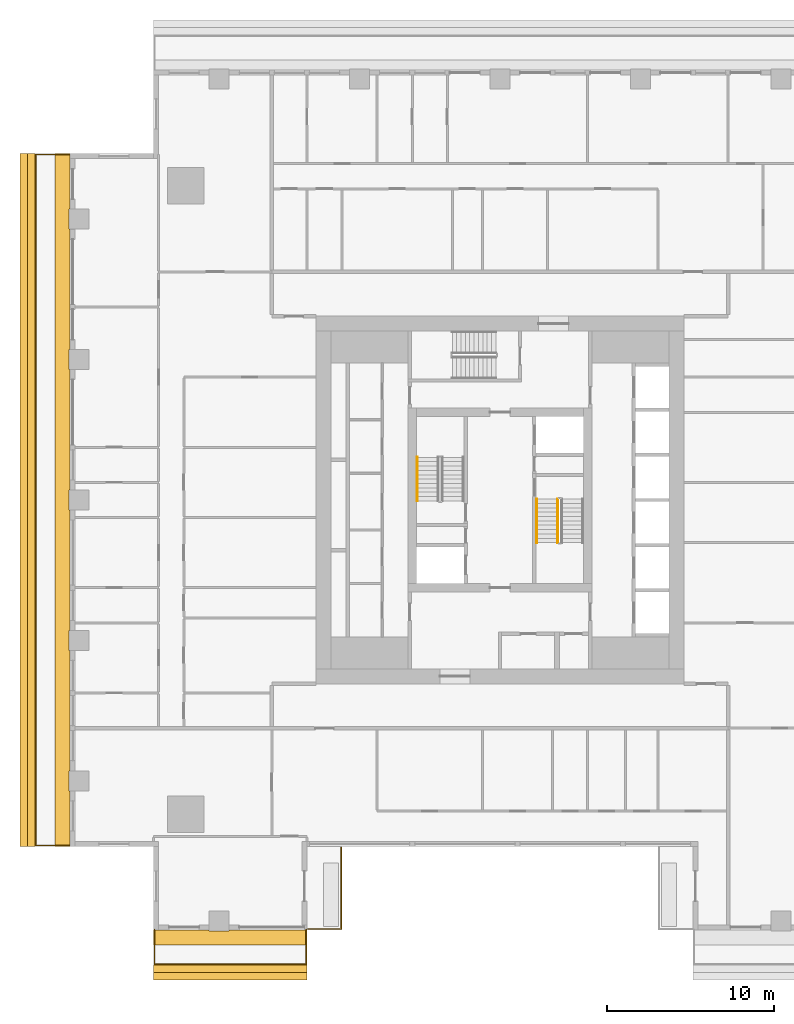
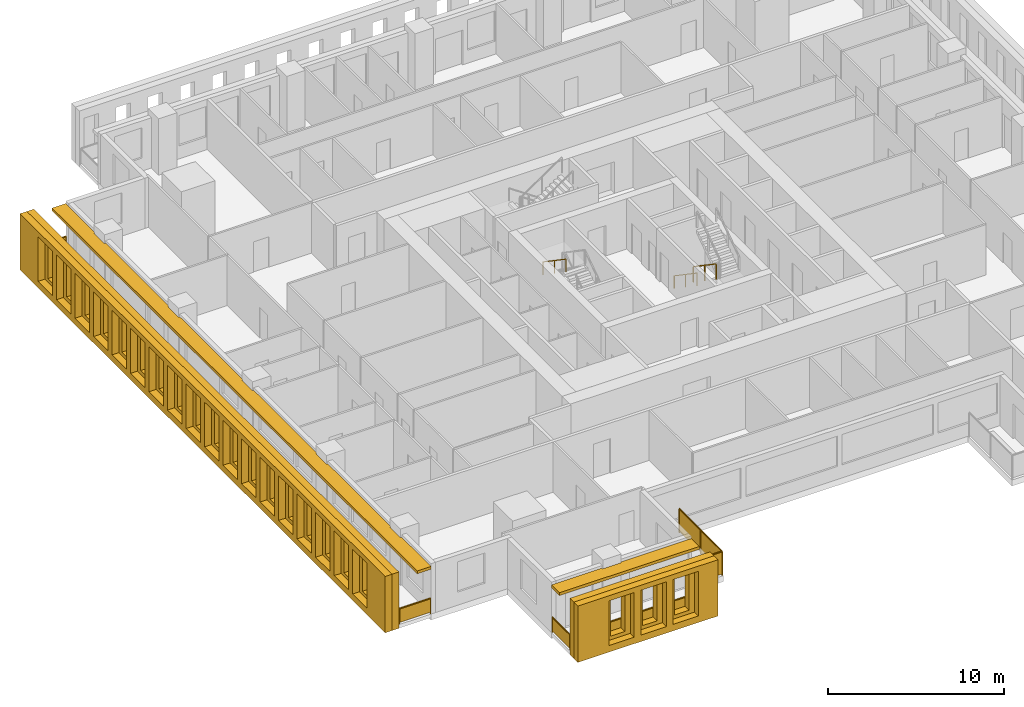
# One storey, part 10 of 14: 6 railings, 6 shading devices.
"""IFC4 building model written with IfcOpenShell, lengths in metres."""

from ifc_helpers import new_model, si_unit, direction, frame, origin, origin_2d, place, context, subcontext, project, spatial, polyline, rectangle, outline, extrude, material, layer, layer_set, type_object, element, save


model = new_model("IFC4")

# Units and contexts
model_context = context("Model", 3, precision=1e-05, world=origin(), true_north=direction((0.0, 1.0)))
body_context = subcontext(model_context, "Body", "Model", "MODEL_VIEW")
ifc_project = project(units=[si_unit("LENGTHUNIT", "METRE"), si_unit("AREAUNIT", "SQUARE_METRE"), si_unit("VOLUMEUNIT", "CUBIC_METRE"), si_unit("PLANEANGLEUNIT", "RADIAN"), si_unit("MASSUNIT", "GRAM", prefix="KILO")], contexts=[model_context])

# Site, building, storey
site_placement = place(None, origin())
site = spatial("IfcSite", under=ifc_project, at=site_placement, CompositionType="ELEMENT")
building_placement = place(site_placement, origin())
building = spatial("IfcBuilding", under=site, at=building_placement, Name="Khepri Terraces", CompositionType="ELEMENT")
storey_placement = place(building_placement, frame((0.0, 0.0, 271.800048828125)))
storey = spatial("IfcBuildingStorey", under=building, at=storey_placement, Name="L65", CompositionType="ELEMENT", Elevation=271.800048828125)

# Railings
ifc_material_1 = material(Name="Stainless steel grade 316", Category="steel")
railing_type_1 = type_object("IfcRailingType", Name="GRD-BAL-1100", PredefinedType="GUARDRAIL", material=ifc_material_1)
railing_1_placement = place(storey_placement, frame((-20.669921875, -25.719970703125, 0.0)))
element("IfcRailing", 1, at=railing_1_placement, inside=storey, type_object=railing_type_1, Name="Balcony guard L65 S", PredefinedType="GUARDRAIL", context=body_context, shape_type="SweptSolid", body=[
    extrude(rectangle(XDim=0.050048828125, YDim=0.06005859375, at=origin_2d()), frame((0.0, 0.0, 1.070068359375), z_axis=(0.0, -1.0, 0.0), x_axis=(1.0, 0.0, 0.0)), (0.0, 0.0, 1.0), 2.050048828125),
    extrude(rectangle(XDim=2.0, YDim=0.011962890625, at=origin_2d()), frame((0.0, -1.02490234375, 0.10009765625), z_axis=(0.0, 0.0, 1.0), x_axis=(0.0, -1.0, 0.0)), (0.0, 0.0, 1.0), 0.93994140625),
    extrude(rectangle(XDim=0.050048828125, YDim=0.06005859375, at=origin_2d()), frame((0.0, -2.050048828125, 1.070068359375), z_axis=(1.0, 0.0, 0.0), x_axis=(0.0, 1.0, 0.0)), (0.0, 0.0, 1.0), 9.06982421875),
    extrude(rectangle(XDim=2.21728515625, YDim=0.011962890625, at=origin_2d()), frame((1.1337890625, -2.050048828125, 0.10009765625), z_axis=(0.0, 0.0, 1.0), x_axis=(1.0, 0.0, 0.0)), (0.0, 0.0, 1.0), 0.93994140625),
    extrude(rectangle(XDim=2.21728515625, YDim=0.011962890625, at=origin_2d()), frame((3.401123046875, -2.050048828125, 0.10009765625), z_axis=(0.0, 0.0, 1.0), x_axis=(1.0, 0.0, 0.0)), (0.0, 0.0, 1.0), 0.93994140625),
    extrude(rectangle(XDim=2.21728515625, YDim=0.011962890625, at=origin_2d()), frame((5.668701171875, -2.050048828125, 0.10009765625), z_axis=(0.0, 0.0, 1.0), x_axis=(1.0, 0.0, 0.0)), (0.0, 0.0, 1.0), 0.93994140625),
    extrude(rectangle(XDim=2.21728515625, YDim=0.011962890625, at=origin_2d()), frame((7.93603515625, -2.050048828125, 0.10009765625), z_axis=(0.0, 0.0, 1.0), x_axis=(1.0, 0.0, 0.0)), (0.0, 0.0, 1.0), 0.93994140625),
    extrude(rectangle(XDim=0.050048828125, YDim=0.06005859375, at=origin_2d()), frame((9.06982421875, -2.050048828125, 1.070068359375), z_axis=(0.0, 1.0, 0.0), x_axis=(-1.0, 0.0, 0.0)), (0.0, 0.0, 1.0), 2.050048828125),
    extrude(rectangle(XDim=2.0, YDim=0.011962890625, at=origin_2d()), frame((9.06982421875, -1.02490234375, 0.10009765625), z_axis=(0.0, 0.0, 1.0), x_axis=(0.0, 1.0, 0.0)), (0.0, 0.0, 1.0), 0.93994140625),
    extrude(rectangle(XDim=0.050048828125, YDim=0.050048828125, at=origin_2d()), origin(), (0.0, 0.0, 1.0), 1.0400390625),
    extrude(rectangle(XDim=0.050048828125, YDim=0.050048828125, at=origin_2d()), frame((0.0, -2.050048828125, 0.0)), (0.0, 0.0, 1.0), 1.0400390625),
    extrude(rectangle(XDim=0.050048828125, YDim=0.050048828125, at=origin_2d()), frame((2.267578125, -2.050048828125, 0.0)), (0.0, 0.0, 1.0), 1.0400390625),
    extrude(rectangle(XDim=0.050048828125, YDim=0.050048828125, at=origin_2d()), frame((4.534912109375, -2.050048828125, 0.0)), (0.0, 0.0, 1.0), 1.0400390625),
    extrude(rectangle(XDim=0.050048828125, YDim=0.050048828125, at=origin_2d()), frame((6.80224609375, -2.050048828125, 0.0)), (0.0, 0.0, 1.0), 1.0400390625),
    extrude(rectangle(XDim=0.050048828125, YDim=0.050048828125, at=origin_2d()), frame((9.06982421875, -2.050048828125, 0.0)), (0.0, 0.0, 1.0), 1.0400390625),
    extrude(rectangle(XDim=0.050048828125, YDim=0.050048828125, at=origin_2d()), frame((9.06982421875, 0.0, 0.0)), (0.0, 0.0, 1.0), 1.0400390625),
])
railing_2_placement = place(storey_placement, frame((-25.719970703125, 20.669921875, 0.0)))
element("IfcRailing", 2, at=railing_2_placement, inside=storey, type_object=railing_type_1, Name="Balcony guard L65 W", PredefinedType="GUARDRAIL", context=body_context, shape_type="SweptSolid", body=[
    extrude(rectangle(XDim=0.050048828125, YDim=0.06005859375, at=origin_2d()), frame((0.0, 0.0, 1.070068359375), z_axis=(-1.0, 0.0, 0.0), x_axis=(0.0, -1.0, 0.0)), (0.0, 0.0, 1.0), 2.050048828125),
    extrude(rectangle(XDim=2.0, YDim=0.011962890625, at=origin_2d()), frame((-1.02490234375, 0.0, 0.10009765625), z_axis=(0.0, 0.0, 1.0), x_axis=(-1.0, 0.0, 0.0)), (0.0, 0.0, 1.0), 0.93994140625),
    extrude(rectangle(XDim=0.050048828125, YDim=0.06005859375, at=origin_2d()), frame((-2.050048828125, 0.0, 1.070068359375), z_axis=(0.0, -1.0, 0.0), x_axis=(1.0, 0.0, 0.0)), (0.0, 0.0, 1.0), 41.33984375),
    extrude(rectangle(XDim=2.24658203125, YDim=0.011962890625, at=origin_2d()), frame((-2.050048828125, -1.1484375, 0.10009765625), z_axis=(0.0, 0.0, 1.0), x_axis=(0.0, -1.0, 0.0)), (0.0, 0.0, 1.0), 0.93994140625),
    extrude(rectangle(XDim=2.24658203125, YDim=0.011962890625, at=origin_2d()), frame((-2.050048828125, -3.445068359375, 0.10009765625), z_axis=(0.0, 0.0, 1.0), x_axis=(0.0, -1.0, 0.0)), (0.0, 0.0, 1.0), 0.93994140625),
    extrude(rectangle(XDim=2.24658203125, YDim=0.011962890625, at=origin_2d()), frame((-2.050048828125, -5.74169921875, 0.10009765625), z_axis=(0.0, 0.0, 1.0), x_axis=(0.0, -1.0, 0.0)), (0.0, 0.0, 1.0), 0.93994140625),
    extrude(rectangle(XDim=2.24658203125, YDim=0.011962890625, at=origin_2d()), frame((-2.050048828125, -8.038330078125, 0.10009765625), z_axis=(0.0, 0.0, 1.0), x_axis=(0.0, -1.0, 0.0)), (0.0, 0.0, 1.0), 0.93994140625),
    extrude(rectangle(XDim=2.24658203125, YDim=0.011962890625, at=origin_2d()), frame((-2.050048828125, -10.3349609375, 0.10009765625), z_axis=(0.0, 0.0, 1.0), x_axis=(0.0, -1.0, 0.0)), (0.0, 0.0, 1.0), 0.93994140625),
    extrude(rectangle(XDim=2.24658203125, YDim=0.011962890625, at=origin_2d()), frame((-2.050048828125, -12.631591796875, 0.10009765625), z_axis=(0.0, 0.0, 1.0), x_axis=(0.0, -1.0, 0.0)), (0.0, 0.0, 1.0), 0.93994140625),
    extrude(rectangle(XDim=2.24658203125, YDim=0.011962890625, at=origin_2d()), frame((-2.050048828125, -14.92822265625, 0.10009765625), z_axis=(0.0, 0.0, 1.0), x_axis=(0.0, -1.0, 0.0)), (0.0, 0.0, 1.0), 0.93994140625),
    extrude(rectangle(XDim=2.24658203125, YDim=0.011962890625, at=origin_2d()), frame((-2.050048828125, -17.224853515625, 0.10009765625), z_axis=(0.0, 0.0, 1.0), x_axis=(0.0, -1.0, 0.0)), (0.0, 0.0, 1.0), 0.93994140625),
    extrude(rectangle(XDim=2.24658203125, YDim=0.011962890625, at=origin_2d()), frame((-2.050048828125, -19.521484375, 0.10009765625), z_axis=(0.0, 0.0, 1.0), x_axis=(0.0, -1.0, 0.0)), (0.0, 0.0, 1.0), 0.93994140625),
    extrude(rectangle(XDim=2.24658203125, YDim=0.011962890625, at=origin_2d()), frame((-2.050048828125, -21.818359375, 0.10009765625), z_axis=(0.0, 0.0, 1.0), x_axis=(0.0, -1.0, 0.0)), (0.0, 0.0, 1.0), 0.93994140625),
    extrude(rectangle(XDim=2.24658203125, YDim=0.011962890625, at=origin_2d()), frame((-2.050048828125, -24.114990234375, 0.10009765625), z_axis=(0.0, 0.0, 1.0), x_axis=(0.0, -1.0, 0.0)), (0.0, 0.0, 1.0), 0.93994140625),
    extrude(rectangle(XDim=2.24658203125, YDim=0.011962890625, at=origin_2d()), frame((-2.050048828125, -26.41162109375, 0.10009765625), z_axis=(0.0, 0.0, 1.0), x_axis=(0.0, -1.0, 0.0)), (0.0, 0.0, 1.0), 0.93994140625),
    extrude(rectangle(XDim=2.24658203125, YDim=0.011962890625, at=origin_2d()), frame((-2.050048828125, -28.708251953125, 0.10009765625), z_axis=(0.0, 0.0, 1.0), x_axis=(0.0, -1.0, 0.0)), (0.0, 0.0, 1.0), 0.93994140625),
    extrude(rectangle(XDim=2.24658203125, YDim=0.011962890625, at=origin_2d()), frame((-2.050048828125, -31.0048828125, 0.10009765625), z_axis=(0.0, 0.0, 1.0), x_axis=(0.0, -1.0, 0.0)), (0.0, 0.0, 1.0), 0.93994140625),
    extrude(rectangle(XDim=2.24658203125, YDim=0.011962890625, at=origin_2d()), frame((-2.050048828125, -33.301513671875, 0.10009765625), z_axis=(0.0, 0.0, 1.0), x_axis=(0.0, -1.0, 0.0)), (0.0, 0.0, 1.0), 0.93994140625),
    extrude(rectangle(XDim=2.24658203125, YDim=0.011962890625, at=origin_2d()), frame((-2.050048828125, -35.59814453125, 0.10009765625), z_axis=(0.0, 0.0, 1.0), x_axis=(0.0, -1.0, 0.0)), (0.0, 0.0, 1.0), 0.93994140625),
    extrude(rectangle(XDim=2.24658203125, YDim=0.011962890625, at=origin_2d()), frame((-2.050048828125, -37.894775390625, 0.10009765625), z_axis=(0.0, 0.0, 1.0), x_axis=(0.0, -1.0, 0.0)), (0.0, 0.0, 1.0), 0.93994140625),
    extrude(rectangle(XDim=2.24658203125, YDim=0.011962890625, at=origin_2d()), frame((-2.050048828125, -40.19140625, 0.10009765625), z_axis=(0.0, 0.0, 1.0), x_axis=(0.0, -1.0, 0.0)), (0.0, 0.0, 1.0), 0.93994140625),
    extrude(rectangle(XDim=0.050048828125, YDim=0.06005859375, at=origin_2d()), frame((-2.050048828125, -41.33984375, 1.070068359375), z_axis=(1.0, 0.0, 0.0), x_axis=(0.0, 1.0, 0.0)), (0.0, 0.0, 1.0), 2.050048828125),
    extrude(rectangle(XDim=2.0, YDim=0.011962890625, at=origin_2d()), frame((-1.02490234375, -41.33984375, 0.10009765625), z_axis=(0.0, 0.0, 1.0), x_axis=(1.0, 0.0, 0.0)), (0.0, 0.0, 1.0), 0.93994140625),
    extrude(rectangle(XDim=0.050048828125, YDim=0.050048828125, at=origin_2d()), origin(), (0.0, 0.0, 1.0), 1.0400390625),
    extrude(rectangle(XDim=0.050048828125, YDim=0.050048828125, at=origin_2d()), frame((-2.050048828125, 0.0, 0.0)), (0.0, 0.0, 1.0), 1.0400390625),
    extrude(rectangle(XDim=0.050048828125, YDim=0.050048828125, at=origin_2d()), frame((-2.050048828125, -2.296630859375, 0.0)), (0.0, 0.0, 1.0), 1.0400390625),
    extrude(rectangle(XDim=0.050048828125, YDim=0.050048828125, at=origin_2d()), frame((-2.050048828125, -4.59326171875, 0.0)), (0.0, 0.0, 1.0), 1.0400390625),
    extrude(rectangle(XDim=0.050048828125, YDim=0.050048828125, at=origin_2d()), frame((-2.050048828125, -6.889892578125, 0.0)), (0.0, 0.0, 1.0), 1.0400390625),
    extrude(rectangle(XDim=0.050048828125, YDim=0.050048828125, at=origin_2d()), frame((-2.050048828125, -9.1865234375, 0.0)), (0.0, 0.0, 1.0), 1.0400390625),
    extrude(rectangle(XDim=0.050048828125, YDim=0.050048828125, at=origin_2d()), frame((-2.050048828125, -11.4833984375, 0.0)), (0.0, 0.0, 1.0), 1.0400390625),
    extrude(rectangle(XDim=0.050048828125, YDim=0.050048828125, at=origin_2d()), frame((-2.050048828125, -13.780029296875, 0.0)), (0.0, 0.0, 1.0), 1.0400390625),
    extrude(rectangle(XDim=0.050048828125, YDim=0.050048828125, at=origin_2d()), frame((-2.050048828125, -16.07666015625, 0.0)), (0.0, 0.0, 1.0), 1.0400390625),
    extrude(rectangle(XDim=0.050048828125, YDim=0.050048828125, at=origin_2d()), frame((-2.050048828125, -18.373291015625, 0.0)), (0.0, 0.0, 1.0), 1.0400390625),
    extrude(rectangle(XDim=0.050048828125, YDim=0.050048828125, at=origin_2d()), frame((-2.050048828125, -20.669921875, 0.0)), (0.0, 0.0, 1.0), 1.0400390625),
    extrude(rectangle(XDim=0.050048828125, YDim=0.050048828125, at=origin_2d()), frame((-2.050048828125, -22.966552734375, 0.0)), (0.0, 0.0, 1.0), 1.0400390625),
    extrude(rectangle(XDim=0.050048828125, YDim=0.050048828125, at=origin_2d()), frame((-2.050048828125, -25.26318359375, 0.0)), (0.0, 0.0, 1.0), 1.0400390625),
    extrude(rectangle(XDim=0.050048828125, YDim=0.050048828125, at=origin_2d()), frame((-2.050048828125, -27.559814453125, 0.0)), (0.0, 0.0, 1.0), 1.0400390625),
    extrude(rectangle(XDim=0.050048828125, YDim=0.050048828125, at=origin_2d()), frame((-2.050048828125, -29.8564453125, 0.0)), (0.0, 0.0, 1.0), 1.0400390625),
    extrude(rectangle(XDim=0.050048828125, YDim=0.050048828125, at=origin_2d()), frame((-2.050048828125, -32.1533203125, 0.0)), (0.0, 0.0, 1.0), 1.0400390625),
    extrude(rectangle(XDim=0.050048828125, YDim=0.050048828125, at=origin_2d()), frame((-2.050048828125, -34.449951171875, 0.0)), (0.0, 0.0, 1.0), 1.0400390625),
    extrude(rectangle(XDim=0.050048828125, YDim=0.050048828125, at=origin_2d()), frame((-2.050048828125, -36.74658203125, 0.0)), (0.0, 0.0, 1.0), 1.0400390625),
    extrude(rectangle(XDim=0.050048828125, YDim=0.050048828125, at=origin_2d()), frame((-2.050048828125, -39.043212890625, 0.0)), (0.0, 0.0, 1.0), 1.0400390625),
    extrude(rectangle(XDim=0.050048828125, YDim=0.050048828125, at=origin_2d()), frame((-2.050048828125, -41.33984375, 0.0)), (0.0, 0.0, 1.0), 1.0400390625),
    extrude(rectangle(XDim=0.050048828125, YDim=0.050048828125, at=origin_2d()), frame((0.0, -41.33984375, 0.0)), (0.0, 0.0, 1.0), 1.0400390625),
])
railing_type_2 = type_object("IfcRailingType", Name="GRD-TERR-1700", PredefinedType="GUARDRAIL", material=ifc_material_1)
railing_3_placement = place(storey_placement, frame((-9.5, -20.7900390625, 0.0)))
element("IfcRailing", 3, at=railing_3_placement, inside=storey, type_object=railing_type_2, Name="Terrace guard L65", PredefinedType="GUARDRAIL", context=body_context, shape_type="SweptSolid", body=[
    extrude(rectangle(XDim=0.050048828125, YDim=0.06005859375, at=origin_2d()), frame((0.0, 0.0, 1.669921875), z_axis=(0.0, -1.0, 0.0), x_axis=(1.0, 0.0, 0.0)), (0.0, 0.0, 1.0), 4.8798828125),
    extrude(rectangle(XDim=2.389892578125, YDim=0.011962890625, at=origin_2d()), frame((0.0, -1.219970703125, 0.10009765625), z_axis=(0.0, 0.0, 1.0), x_axis=(0.0, -1.0, 0.0)), (0.0, 0.0, 1.0), 1.539794921875),
    extrude(rectangle(XDim=2.389892578125, YDim=0.011962890625, at=origin_2d()), frame((0.0, -3.659912109375, 0.10009765625), z_axis=(0.0, 0.0, 1.0), x_axis=(0.0, -1.0, 0.0)), (0.0, 0.0, 1.0), 1.539794921875),
    extrude(rectangle(XDim=0.050048828125, YDim=0.06005859375, at=origin_2d()), frame((0.0, -4.8798828125, 1.669921875), z_axis=(-1.0, 0.0, 0.0), x_axis=(0.0, -1.0, 0.0)), (0.0, 0.0, 1.0), 1.97998046875),
    extrude(rectangle(XDim=1.929931640625, YDim=0.011962890625, at=origin_2d()), frame((-0.989990234375, -4.8798828125, 0.10009765625), z_axis=(0.0, 0.0, 1.0), x_axis=(-1.0, 0.0, 0.0)), (0.0, 0.0, 1.0), 1.539794921875),
    extrude(rectangle(XDim=0.050048828125, YDim=0.050048828125, at=origin_2d()), origin(), (0.0, 0.0, 1.0), 1.639892578125),
    extrude(rectangle(XDim=0.050048828125, YDim=0.050048828125, at=origin_2d()), frame((0.0, -2.43994140625, 0.0)), (0.0, 0.0, 1.0), 1.639892578125),
    extrude(rectangle(XDim=0.050048828125, YDim=0.050048828125, at=origin_2d()), frame((0.0, -4.8798828125, 0.0)), (0.0, 0.0, 1.0), 1.639892578125),
    extrude(rectangle(XDim=0.050048828125, YDim=0.050048828125, at=origin_2d()), frame((-1.97998046875, -4.8798828125, 0.0)), (0.0, 0.0, 1.0), 1.639892578125),
])
ifc_material_2 = material(Name="Stainless steel 316", Category="steel")
railing_type_3 = type_object("IfcRailingType", Name="RL-CORE-GUARD", PredefinedType="GUARDRAIL", material=ifc_material_2)
railing_4_placement = place(storey_placement, frame((3.449951171875, 0.050048828125, 0.17724609375)))
element("IfcRailing", 4, at=railing_4_placement, inside=storey, type_object=railing_type_3, Name="L65 ST-2 stair guard 1", PredefinedType="GUARDRAIL", context=body_context, shape_type="SweptSolid", body=[
    extrude(rectangle(XDim=0.050048828125, YDim=0.06005859375, at=origin_2d()), frame((0.0, 0.0, 1.070068359375), z_axis=(0.0, -0.826240473404, 0.563317565952), x_axis=(1.0, 0.0, 0.0)), (0.0, 0.0, 1.0), 3.14697265625),
    extrude(rectangle(XDim=0.050048828125, YDim=0.050048828125, at=origin_2d()), origin(), (0.0, 0.0, 1.0), 1.0400390625),
    extrude(rectangle(XDim=0.050048828125, YDim=0.050048828125, at=origin_2d()), frame((0.0, -1.300048828125, 0.88623046875)), (0.0, 0.0, 1.0), 1.0400390625),
    extrude(rectangle(XDim=0.050048828125, YDim=0.050048828125, at=origin_2d()), frame((0.0, -2.60009765625, 1.772705078125)), (0.0, 0.0, 1.0), 1.0400390625),
])
railing_type_4 = type_object("IfcRailingType", Name="RL-CORE-HANDRAIL", PredefinedType="HANDRAIL", material=ifc_material_2)
for number, where, name in (
    (5, (-4.949951171875, 2.550048828125, 2.127197265625), "L65 ST-1 stair handrail 2"),
    (6, (2.199951171875, 0.050048828125, 0.17724609375), "L65 ST-2 stair handrail 1"),
):
    element("IfcRailing", number, at=place(storey_placement, frame(where)), inside=storey, type_object=railing_type_4, Name=name, PredefinedType="HANDRAIL", context=body_context, shape_type="SweptSolid", body=[
        extrude(rectangle(XDim=0.050048828125, YDim=0.050048828125, at=origin_2d()), frame((0.0, 0.0, 0.875), z_axis=(0.0, -0.826240473404, 0.563317565952), x_axis=(1.0, 0.0, 0.0)), (0.0, 0.0, 1.0), 3.14697265625),
        extrude(rectangle(XDim=0.050048828125, YDim=0.050048828125, at=origin_2d()), origin(), (0.0, 0.0, 1.0), 0.849853515625),
        extrude(rectangle(XDim=0.050048828125, YDim=0.050048828125, at=origin_2d()), frame((0.0, -1.300048828125, 0.88623046875)), (0.0, 0.0, 1.0), 0.849853515625),
        extrude(rectangle(XDim=0.050048828125, YDim=0.050048828125, at=origin_2d()), frame((0.0, -2.60009765625, 1.772705078125)), (0.0, 0.0, 1.0), 0.849853515625),
    ])

# Shading devices
ifc_material_3 = material(Name="Precast concrete C50/60 warm stone", Category="masonry")
shading_device_type_1 = type_object("IfcShadingDeviceType", Name="SCR-CELL-INNER-450", PredefinedType="USERDEFINED", material=ifc_material_3)
shading_device_1_placement = place(storey_placement, frame((-20.719970703125, -27.820068359375, -0.25), z_axis=(0.0, -1.0, 0.0), x_axis=(1.0, 0.0, 0.0)))
element("IfcShadingDevice", 7, at=shading_device_1_placement, inside=storey, type_object=shading_device_type_1, Name="Cell screen L65 S in", ObjectType="SCREEN", PredefinedType="USERDEFINED", context=body_context, shape_type="SweptSolid", body=[
    extrude(outline(polyline([(0.0, 0.0), (9.169921875, 0.0), (9.169921875, 3.89990234375), (0.0, 3.89990234375), (0.0, 0.0)]), holes=[polyline([(0.297607421875, 0.699951171875), (1.242431640625, 0.699951171875), (1.242431640625, 3.300048828125), (0.297607421875, 3.300048828125), (0.297607421875, 0.699951171875)]), polyline([(2.3974609375, 0.699951171875), (3.342529296875, 0.699951171875), (3.342529296875, 3.300048828125), (2.3974609375, 3.300048828125), (2.3974609375, 0.699951171875)]), polyline([(4.49755859375, 0.699951171875), (5.4423828125, 0.699951171875), (5.4423828125, 3.300048828125), (4.49755859375, 3.300048828125), (4.49755859375, 0.699951171875)]), polyline([(6.597412109375, 0.699951171875), (7.54248046875, 0.699951171875), (7.54248046875, 3.300048828125), (6.597412109375, 3.300048828125), (6.597412109375, 0.699951171875)])]), origin(), (0.0, 0.0, 1.0), 0.449951171875),
])
shading_device_2_placement = place(storey_placement, frame((-27.820068359375, 20.719970703125, -0.25), z_axis=(-1.0, 0.0, 0.0), x_axis=(0.0, -1.0, 0.0)))
element("IfcShadingDevice", 8, at=shading_device_2_placement, inside=storey, type_object=shading_device_type_1, Name="Cell screen L65 W in", ObjectType="SCREEN", PredefinedType="USERDEFINED", context=body_context, shape_type="SweptSolid", body=[
    extrude(outline(polyline([(0.0, 0.0), (41.43994140625, 0.0), (41.43994140625, 3.89990234375), (0.0, 3.89990234375), (0.0, 0.0)]), holes=[polyline([(0.297607421875, 0.699951171875), (1.242431640625, 0.699951171875), (1.242431640625, 3.300048828125), (0.297607421875, 3.300048828125), (0.297607421875, 0.699951171875)]), polyline([(2.3974609375, 0.699951171875), (3.342529296875, 0.699951171875), (3.342529296875, 3.300048828125), (2.3974609375, 3.300048828125), (2.3974609375, 0.699951171875)]), polyline([(4.49755859375, 0.699951171875), (5.4423828125, 0.699951171875), (5.4423828125, 3.300048828125), (4.49755859375, 3.300048828125), (4.49755859375, 0.699951171875)]), polyline([(6.597412109375, 0.699951171875), (7.54248046875, 0.699951171875), (7.54248046875, 3.300048828125), (6.597412109375, 3.300048828125), (6.597412109375, 0.699951171875)]), polyline([(8.697509765625, 0.699951171875), (9.642578125, 0.699951171875), (9.642578125, 3.300048828125), (8.697509765625, 3.300048828125), (8.697509765625, 0.699951171875)]), polyline([(10.797607421875, 0.699951171875), (11.742431640625, 0.699951171875), (11.742431640625, 3.300048828125), (10.797607421875, 3.300048828125), (10.797607421875, 0.699951171875)]), polyline([(12.8974609375, 0.699951171875), (13.842529296875, 0.699951171875), (13.842529296875, 3.300048828125), (12.8974609375, 3.300048828125), (12.8974609375, 0.699951171875)]), polyline([(14.99755859375, 0.699951171875), (15.9423828125, 0.699951171875), (15.9423828125, 3.300048828125), (14.99755859375, 3.300048828125), (14.99755859375, 0.699951171875)]), polyline([(17.097412109375, 0.699951171875), (18.04248046875, 0.699951171875), (18.04248046875, 3.300048828125), (17.097412109375, 3.300048828125), (17.097412109375, 0.699951171875)]), polyline([(19.197509765625, 0.699951171875), (20.142578125, 0.699951171875), (20.142578125, 3.300048828125), (19.197509765625, 3.300048828125), (19.197509765625, 0.699951171875)]), polyline([(21.297607421875, 0.699951171875), (22.242431640625, 0.699951171875), (22.242431640625, 3.300048828125), (21.297607421875, 3.300048828125), (21.297607421875, 0.699951171875)]), polyline([(23.3974609375, 0.699951171875), (24.342529296875, 0.699951171875), (24.342529296875, 3.300048828125), (23.3974609375, 3.300048828125), (23.3974609375, 0.699951171875)]), polyline([(25.49755859375, 0.699951171875), (26.4423828125, 0.699951171875), (26.4423828125, 3.300048828125), (25.49755859375, 3.300048828125), (25.49755859375, 0.699951171875)]), polyline([(27.597412109375, 0.699951171875), (28.54248046875, 0.699951171875), (28.54248046875, 3.300048828125), (27.597412109375, 3.300048828125), (27.597412109375, 0.699951171875)]), polyline([(29.697509765625, 0.699951171875), (30.642578125, 0.699951171875), (30.642578125, 3.300048828125), (29.697509765625, 3.300048828125), (29.697509765625, 0.699951171875)]), polyline([(31.797607421875, 0.699951171875), (32.742431640625, 0.699951171875), (32.742431640625, 3.300048828125), (31.797607421875, 3.300048828125), (31.797607421875, 0.699951171875)]), polyline([(33.8974609375, 0.699951171875), (34.842529296875, 0.699951171875), (34.842529296875, 3.300048828125), (33.8974609375, 3.300048828125), (33.8974609375, 0.699951171875)]), polyline([(35.99755859375, 0.699951171875), (36.9423828125, 0.699951171875), (36.9423828125, 3.300048828125), (35.99755859375, 3.300048828125), (35.99755859375, 0.699951171875)]), polyline([(38.097412109375, 0.699951171875), (39.04248046875, 0.699951171875), (39.04248046875, 3.300048828125), (38.097412109375, 3.300048828125), (38.097412109375, 0.699951171875)]), polyline([(40.197509765625, 0.699951171875), (41.142578125, 0.699951171875), (41.142578125, 3.300048828125), (40.197509765625, 3.300048828125), (40.197509765625, 0.699951171875)])]), origin(), (0.0, 0.0, 1.0), 0.449951171875),
])
shading_device_type_2 = type_object("IfcShadingDeviceType", Name="SCR-CELL-OUTER-450", PredefinedType="USERDEFINED", material=ifc_material_3)
shading_device_3_placement = place(storey_placement, frame((-20.719970703125, -28.27001953125, -0.25), z_axis=(0.0, -1.0, 0.0), x_axis=(1.0, 0.0, 0.0)))
element("IfcShadingDevice", 9, at=shading_device_3_placement, inside=storey, type_object=shading_device_type_2, Name="Cell screen L65 S out", ObjectType="SCREEN", PredefinedType="USERDEFINED", context=body_context, shape_type="SweptSolid", body=[
    extrude(outline(polyline([(0.0, 0.0), (9.169921875, 0.0), (9.169921875, 3.89990234375), (0.0, 3.89990234375), (0.0, 0.0)]), holes=[polyline([(2.047607421875, 0.449951171875), (3.6923828125, 0.449951171875), (3.6923828125, 3.550048828125), (2.047607421875, 3.550048828125), (2.047607421875, 0.449951171875)]), polyline([(4.1474609375, 0.449951171875), (5.79248046875, 0.449951171875), (5.79248046875, 3.550048828125), (4.1474609375, 3.550048828125), (4.1474609375, 0.449951171875)]), polyline([(6.24755859375, 0.449951171875), (7.892578125, 0.449951171875), (7.892578125, 3.550048828125), (6.24755859375, 3.550048828125), (6.24755859375, 0.449951171875)])]), origin(), (0.0, 0.0, 1.0), 0.449951171875),
])
shading_device_4_placement = place(storey_placement, frame((-28.27001953125, 20.719970703125, -0.25), z_axis=(-1.0, 0.0, 0.0), x_axis=(0.0, -1.0, 0.0)))
element("IfcShadingDevice", 10, at=shading_device_4_placement, inside=storey, type_object=shading_device_type_2, Name="Cell screen L65 W out", ObjectType="SCREEN", PredefinedType="USERDEFINED", context=body_context, shape_type="SweptSolid", body=[
    extrude(outline(polyline([(0.0, 0.0), (41.43994140625, 0.0), (41.43994140625, 3.89990234375), (0.0, 3.89990234375), (0.0, 0.0)]), holes=[polyline([(2.047607421875, 0.449951171875), (3.6923828125, 0.449951171875), (3.6923828125, 3.550048828125), (2.047607421875, 3.550048828125), (2.047607421875, 0.449951171875)]), polyline([(4.1474609375, 0.449951171875), (5.79248046875, 0.449951171875), (5.79248046875, 3.550048828125), (4.1474609375, 3.550048828125), (4.1474609375, 0.449951171875)]), polyline([(6.24755859375, 0.449951171875), (7.892578125, 0.449951171875), (7.892578125, 3.550048828125), (6.24755859375, 3.550048828125), (6.24755859375, 0.449951171875)]), polyline([(8.347412109375, 0.449951171875), (9.992431640625, 0.449951171875), (9.992431640625, 3.550048828125), (8.347412109375, 3.550048828125), (8.347412109375, 0.449951171875)]), polyline([(10.447509765625, 0.449951171875), (12.092529296875, 0.449951171875), (12.092529296875, 3.550048828125), (10.447509765625, 3.550048828125), (10.447509765625, 0.449951171875)]), polyline([(12.547607421875, 0.449951171875), (14.1923828125, 0.449951171875), (14.1923828125, 3.550048828125), (12.547607421875, 3.550048828125), (12.547607421875, 0.449951171875)]), polyline([(14.6474609375, 0.449951171875), (16.29248046875, 0.449951171875), (16.29248046875, 3.550048828125), (14.6474609375, 3.550048828125), (14.6474609375, 0.449951171875)]), polyline([(16.74755859375, 0.449951171875), (18.392578125, 0.449951171875), (18.392578125, 3.550048828125), (16.74755859375, 3.550048828125), (16.74755859375, 0.449951171875)]), polyline([(18.847412109375, 0.449951171875), (20.492431640625, 0.449951171875), (20.492431640625, 3.550048828125), (18.847412109375, 3.550048828125), (18.847412109375, 0.449951171875)]), polyline([(20.947509765625, 0.449951171875), (22.592529296875, 0.449951171875), (22.592529296875, 3.550048828125), (20.947509765625, 3.550048828125), (20.947509765625, 0.449951171875)]), polyline([(23.047607421875, 0.449951171875), (24.6923828125, 0.449951171875), (24.6923828125, 3.550048828125), (23.047607421875, 3.550048828125), (23.047607421875, 0.449951171875)]), polyline([(25.1474609375, 0.449951171875), (26.79248046875, 0.449951171875), (26.79248046875, 3.550048828125), (25.1474609375, 3.550048828125), (25.1474609375, 0.449951171875)]), polyline([(27.24755859375, 0.449951171875), (28.892578125, 0.449951171875), (28.892578125, 3.550048828125), (27.24755859375, 3.550048828125), (27.24755859375, 0.449951171875)]), polyline([(29.347412109375, 0.449951171875), (30.992431640625, 0.449951171875), (30.992431640625, 3.550048828125), (29.347412109375, 3.550048828125), (29.347412109375, 0.449951171875)]), polyline([(31.447509765625, 0.449951171875), (33.092529296875, 0.449951171875), (33.092529296875, 3.550048828125), (31.447509765625, 3.550048828125), (31.447509765625, 0.449951171875)]), polyline([(33.547607421875, 0.449951171875), (35.1923828125, 0.449951171875), (35.1923828125, 3.550048828125), (33.547607421875, 3.550048828125), (33.547607421875, 0.449951171875)]), polyline([(35.6474609375, 0.449951171875), (37.29248046875, 0.449951171875), (37.29248046875, 3.550048828125), (35.6474609375, 3.550048828125), (35.6474609375, 0.449951171875)]), polyline([(37.74755859375, 0.449951171875), (39.392578125, 0.449951171875), (39.392578125, 3.550048828125), (37.74755859375, 3.550048828125), (37.74755859375, 0.449951171875)])]), origin(), (0.0, 0.0, 1.0), 0.449951171875),
])
ifc_layer = layer(ifc_material_3, 0.199951171875, Name="Precast concrete C50/60 warm stone", Category="masonry")
ifc_layer_set = layer_set([ifc_layer], Name="Precast concrete C50/60 warm stone")
shading_device_type_3 = type_object("IfcShadingDeviceType", Name="SSH-BAND-STONE-200", PredefinedType="USERDEFINED", material=ifc_layer_set)
shading_device_5_placement = place(storey_placement, frame((0.0, 0.0, 3.099853515625)))
element("IfcShadingDevice", 11, at=shading_device_5_placement, inside=storey, type_object=shading_device_type_3, Name="Sunshade band L65 S", ObjectType="SUNSHADE", PredefinedType="USERDEFINED", context=body_context, shape_type="SweptSolid", body=[
    extrude(outline(polyline([(-17.39990234375, -25.719970703125), (-20.719970703125, -25.719970703125), (-20.719970703125, -26.6201171875), (-11.550048828125, -26.6201171875), (-11.550048828125, -25.719970703125), (-16.199951171875, -25.719970703125), (-16.199951171875, -25.800048828125), (-17.39990234375, -25.800048828125), (-17.39990234375, -25.719970703125)])), origin(), (0.0, 0.0, 1.0), 0.2001953125),
])
shading_device_6_placement = place(storey_placement, frame((0.0, 0.0, 3.099853515625)))
element("IfcShadingDevice", 12, at=shading_device_6_placement, inside=storey, type_object=shading_device_type_3, Name="Sunshade band L65 W", ObjectType="SUNSHADE", PredefinedType="USERDEFINED", context=body_context, shape_type="SweptSolid", body=[
    extrude(outline(polyline([(-25.719970703125, 17.39990234375), (-25.719970703125, 20.719970703125), (-26.6201171875, 20.719970703125), (-26.6201171875, -20.719970703125), (-25.719970703125, -20.719970703125), (-25.719970703125, -17.39990234375), (-25.800048828125, -17.39990234375), (-25.800048828125, -16.199951171875), (-25.719970703125, -16.199951171875), (-25.719970703125, -9.0), (-25.800048828125, -9.0), (-25.800048828125, -7.800048828125), (-25.719970703125, -7.800048828125), (-25.719970703125, -0.60009765625), (-25.800048828125, -0.60009765625), (-25.800048828125, 0.60009765625), (-25.719970703125, 0.60009765625), (-25.719970703125, 7.800048828125), (-25.800048828125, 7.800048828125), (-25.800048828125, 9.0), (-25.719970703125, 9.0), (-25.719970703125, 16.199951171875), (-25.800048828125, 16.199951171875), (-25.800048828125, 17.39990234375), (-25.719970703125, 17.39990234375)])), origin(), (0.0, 0.0, 1.0), 0.2001953125),
])

save(model, "model.ifc")
